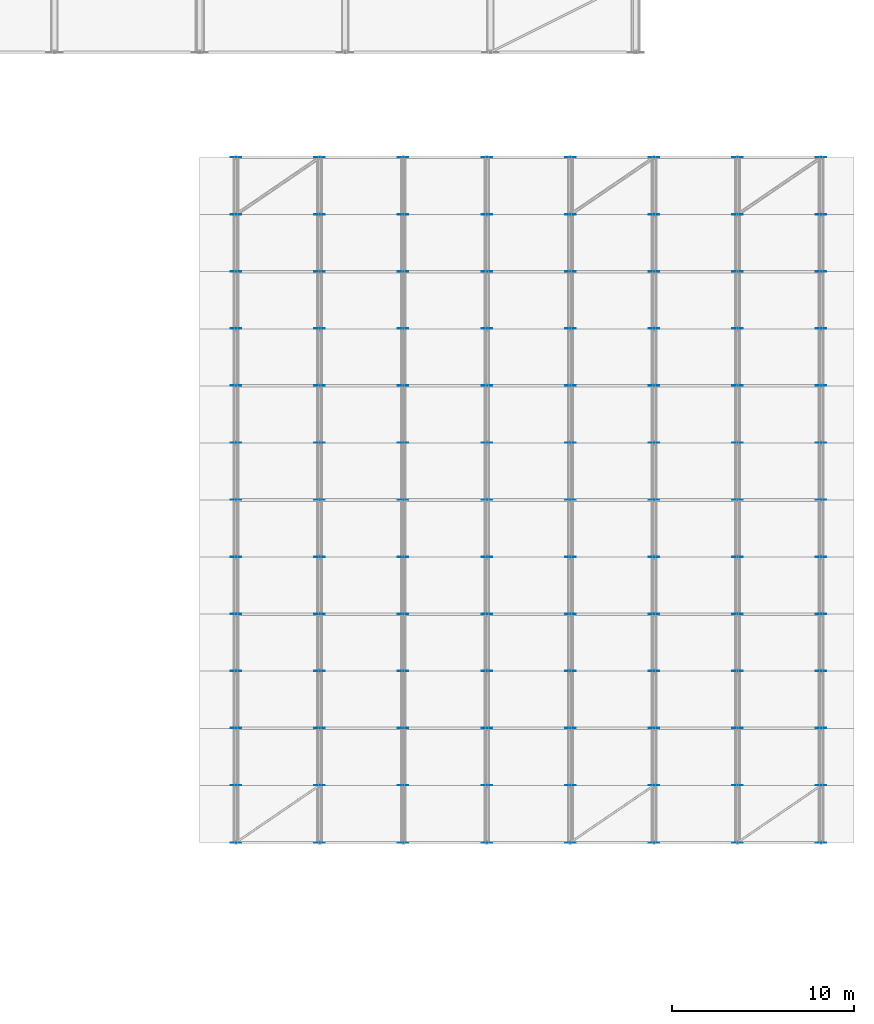
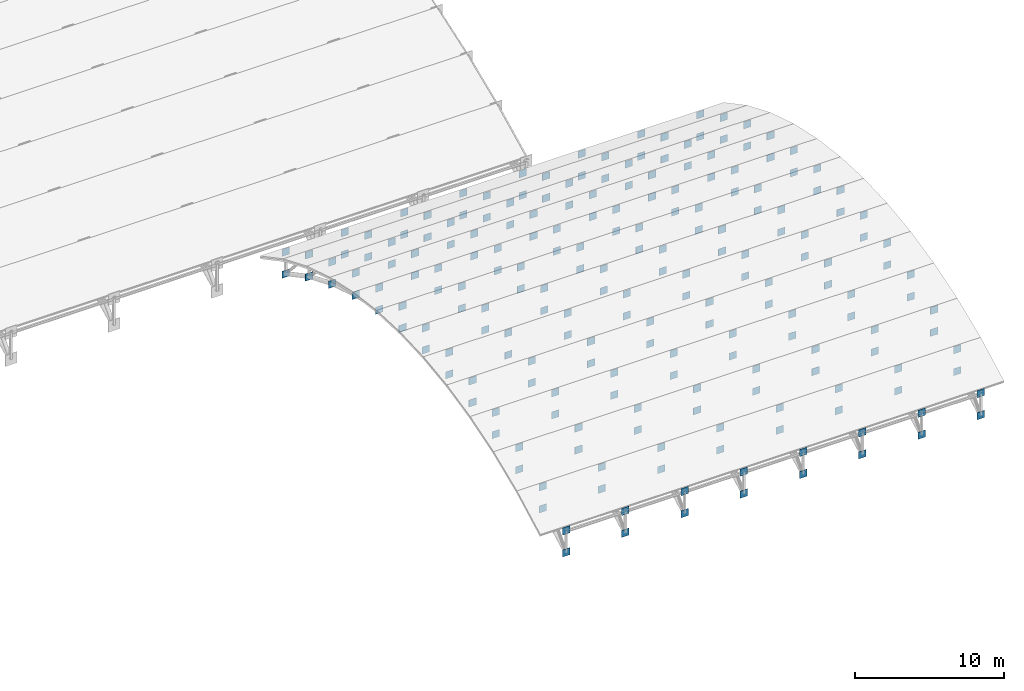
# One storey, part 96 of 98: 208 plates.
"""IFC4 building model written with IfcOpenShell, lengths in metres."""

from ifc_helpers import new_model, si_unit, direction, frame, origin, origin_2d, place, context, subcontext, project, spatial, rectangle, extrude, material, layer, layer_set, type_object, element, save


model = new_model("IFC4")

# Units and contexts
model_context = context("Model", 3, precision=1e-05, world=origin(), true_north=direction((0.0, 1.0)))
body_context = subcontext(model_context, "Body", "Model", "MODEL_VIEW")
ifc_project = project(units=[si_unit("LENGTHUNIT", "METRE"), si_unit("AREAUNIT", "SQUARE_METRE"), si_unit("VOLUMEUNIT", "CUBIC_METRE"), si_unit("PLANEANGLEUNIT", "RADIAN"), si_unit("MASSUNIT", "GRAM", prefix="KILO")], contexts=[model_context])

# Site, building, storey
site_placement = place(None, origin())
site = spatial("IfcSite", under=ifc_project, at=site_placement, CompositionType="ELEMENT")
building_placement = place(site_placement, origin())
building = spatial("IfcBuilding", under=site, at=building_placement, Name="Tlacozan Convention Centre", CompositionType="ELEMENT")
storey_placement = place(building_placement, frame((0.0, 0.0, 25.800048828125)))
storey = spatial("IfcBuildingStorey", under=building, at=storey_placement, Name="Roof", CompositionType="ELEMENT", Elevation=25.800048828125)

# Plates
ifc_material = material(Name="Steel ASTM A572 Grade 50", Category="steel")
ifc_layer = layer(ifc_material, 0.01806640625)
ifc_layer_set = layer_set([ifc_layer], Name="Steel ASTM A572 Grade 50")
plate_type = type_object("IfcPlateType", Name="Plenary Arch Node Gusset Plate", PredefinedType="SHEET", material=ifc_layer_set)
for number, where, z_axis, x_axis, name in (
    (1, (146.0, 18.488525390625, -7.09619140625), (0.0, 0.0, 1.0), (0.0, 1.0, 0.0), "Roof Gusset Cap Plate 749"),
    (2, (146.0, 21.6533203125, -5.40869140625), (0.0, 0.0, 1.0), (0.0, 1.0, 0.0), "Roof Gusset Cap Plate 750"),
    (3, (146.0, 18.488525390625, -8.896240234375), (0.0, 0.0, 1.0), (0.0, 1.0, 0.0), "Roof Gusset Cap Plate 751"),
    (4, (146.0, 21.6533203125, -7.208740234375), (0.0, 0.0, 1.0), (0.0, 1.0, 0.0), "Roof Gusset Cap Plate 752"),
    (5, (146.0, 24.79541015625, -4.099609375), (0.0, 0.0, 1.0), (0.0, 1.0, 0.0), "Roof Gusset Cap Plate 753"),
    (6, (146.0, 24.79541015625, -5.8994140625), (0.0, 0.0, 1.0), (0.0, 1.0, 0.0), "Roof Gusset Cap Plate 754"),
    (7, (146.0, 27.9375, -3.11474609375), (0.0, 0.0, 1.0), (0.0, 1.0, 0.0), "Roof Gusset Cap Plate 755"),
    (8, (146.0, 27.9375, -4.914794921875), (0.0, 0.0, 1.0), (0.0, 1.0, 0.0), "Roof Gusset Cap Plate 756"),
    (9, (146.0, 31.079345703125, -2.42822265625), (0.0, 0.0, 1.0), (0.0, 1.0, 0.0), "Roof Gusset Cap Plate 757"),
    (10, (146.0, 31.079345703125, -4.228271484375), (0.0, 0.0, 1.0), (0.0, 1.0, 0.0), "Roof Gusset Cap Plate 758"),
    (11, (146.0, 34.22119140625, -2.02294921875), (0.0, 0.0, 1.0), (0.0, 1.0, 0.0), "Roof Gusset Cap Plate 759"),
    (12, (146.0, 34.22119140625, -3.822998046875), (0.0, 0.0, 1.0), (0.0, 1.0, 0.0), "Roof Gusset Cap Plate 760"),
    (13, (146.0, 37.363037109375, -1.889404296875), (0.0, 0.0, 1.0), (0.0, 1.0, 0.0), "Roof Gusset Cap Plate 761"),
    (14, (146.0, 37.363037109375, -3.689453125), (0.0, 0.0, 1.0), (0.0, 1.0, 0.0), "Roof Gusset Cap Plate 762"),
    (15, (146.0, 40.504638671875, -2.025146484375), (0.0, 0.0, 1.0), (0.0, 1.0, 0.0), "Roof Gusset Cap Plate 763"),
    (16, (146.0, 40.504638671875, -3.8251953125), (0.0, 0.0, 1.0), (0.0, 1.0, 0.0), "Roof Gusset Cap Plate 764"),
    (17, (146.0, 43.646240234375, -2.4326171875), (0.0, 0.0, 1.0), (0.0, 1.0, 0.0), "Roof Gusset Cap Plate 765"),
    (18, (146.0, 43.646240234375, -4.232666015625), (0.0, 0.0, 1.0), (0.0, 1.0, 0.0), "Roof Gusset Cap Plate 766"),
    (19, (146.0, 46.78759765625, -3.12158203125), (0.0, 0.0, 1.0), (0.0, 1.0, 0.0), "Roof Gusset Cap Plate 767"),
    (20, (146.0, 46.78759765625, -4.92138671875), (0.0, 0.0, 1.0), (0.0, 1.0, 0.0), "Roof Gusset Cap Plate 768"),
    (21, (146.0, 49.92919921875, -4.1083984375), (0.0, 0.0, 1.0), (0.0, 1.0, 0.0), "Roof Gusset Cap Plate 769"),
    (22, (146.0, 49.92919921875, -5.908447265625), (0.0, 0.0, 1.0), (0.0, 1.0, 0.0), "Roof Gusset Cap Plate 770"),
    (23, (146.0, 53.0703125, -5.419677734375), (0.0, 0.0, 1.0), (0.0, 1.0, 0.0), "Roof Gusset Cap Plate 771"),
    (24, (146.0, 53.0703125, -7.2197265625), (0.0, 0.0, 1.0), (0.0, 1.0, 0.0), "Roof Gusset Cap Plate 772"),
    (25, (146.0, 56.21142578125, -7.09619140625), (0.0, 0.0, 1.0), (0.0, 1.0, 0.0), "Roof Gusset Cap Plate 773"),
    (26, (146.0, 56.21142578125, -8.896240234375), (0.0, 0.0, 1.0), (0.0, 1.0, 0.0), "Roof Gusset Cap Plate 774"),
    (27, (150.60009765625, 18.488525390625, -7.09619140625), (0.0, 0.0, 1.0), (0.0, 1.0, 0.0), "Roof Gusset Cap Plate 775"),
    (28, (150.60009765625, 21.6533203125, -5.40869140625), (0.0, 0.0, 1.0), (0.0, 1.0, 0.0), "Roof Gusset Cap Plate 776"),
    (29, (150.60009765625, 18.488525390625, -8.896240234375), (0.0, 0.0, 1.0), (0.0, 1.0, 0.0), "Roof Gusset Cap Plate 777"),
    (30, (150.60009765625, 21.6533203125, -7.208740234375), (0.0, 0.0, 1.0), (0.0, 1.0, 0.0), "Roof Gusset Cap Plate 778"),
    (31, (150.60009765625, 24.79541015625, -4.099609375), (0.0, 0.0, 1.0), (0.0, 1.0, 0.0), "Roof Gusset Cap Plate 779"),
    (32, (150.60009765625, 24.79541015625, -5.8994140625), (0.0, 0.0, 1.0), (0.0, 1.0, 0.0), "Roof Gusset Cap Plate 780"),
    (33, (150.60009765625, 27.9375, -3.11474609375), (0.0, 0.0, 1.0), (0.0, 1.0, 0.0), "Roof Gusset Cap Plate 781"),
    (34, (150.60009765625, 27.9375, -4.914794921875), (0.0, 0.0, 1.0), (0.0, 1.0, 0.0), "Roof Gusset Cap Plate 782"),
    (35, (150.60009765625, 31.079345703125, -2.42822265625), (0.0, 0.0, 1.0), (0.0, 1.0, 0.0), "Roof Gusset Cap Plate 783"),
    (36, (150.60009765625, 31.079345703125, -4.228271484375), (0.0, 0.0, 1.0), (0.0, 1.0, 0.0), "Roof Gusset Cap Plate 784"),
    (37, (150.60009765625, 34.22119140625, -2.02294921875), (0.0, 0.0, 1.0), (0.0, 1.0, 0.0), "Roof Gusset Cap Plate 785"),
    (38, (150.60009765625, 34.22119140625, -3.822998046875), (0.0, 0.0, 1.0), (0.0, 1.0, 0.0), "Roof Gusset Cap Plate 786"),
    (39, (150.60009765625, 37.363037109375, -1.889404296875), (0.0, 0.0, 1.0), (0.0, 1.0, 0.0), "Roof Gusset Cap Plate 787"),
    (40, (150.60009765625, 37.363037109375, -3.689453125), (0.0, 0.0, 1.0), (0.0, 1.0, 0.0), "Roof Gusset Cap Plate 788"),
    (41, (150.60009765625, 40.504638671875, -2.025146484375), (0.0, 0.0, 1.0), (0.0, 1.0, 0.0), "Roof Gusset Cap Plate 789"),
    (42, (150.60009765625, 40.504638671875, -3.8251953125), (0.0, 0.0, 1.0), (0.0, 1.0, 0.0), "Roof Gusset Cap Plate 790"),
    (43, (150.60009765625, 43.646240234375, -2.4326171875), (0.0, 0.0, 1.0), (0.0, 1.0, 0.0), "Roof Gusset Cap Plate 791"),
    (44, (150.60009765625, 43.646240234375, -4.232666015625), (0.0, 0.0, 1.0), (0.0, 1.0, 0.0), "Roof Gusset Cap Plate 792"),
    (45, (150.60009765625, 46.78759765625, -3.12158203125), (0.0, 0.0, 1.0), (0.0, 1.0, 0.0), "Roof Gusset Cap Plate 793"),
    (46, (150.60009765625, 46.78759765625, -4.92138671875), (0.0, 0.0, 1.0), (0.0, 1.0, 0.0), "Roof Gusset Cap Plate 794"),
    (47, (150.60009765625, 49.92919921875, -4.1083984375), (0.0, 0.0, 1.0), (0.0, 1.0, 0.0), "Roof Gusset Cap Plate 795"),
    (48, (150.60009765625, 49.92919921875, -5.908447265625), (0.0, 0.0, 1.0), (0.0, 1.0, 0.0), "Roof Gusset Cap Plate 796"),
    (49, (150.60009765625, 53.0703125, -5.419677734375), (0.0, 0.0, 1.0), (0.0, 1.0, 0.0), "Roof Gusset Cap Plate 797"),
    (50, (150.60009765625, 53.0703125, -7.2197265625), (0.0, 0.0, 1.0), (0.0, 1.0, 0.0), "Roof Gusset Cap Plate 798"),
    (51, (150.60009765625, 56.21142578125, -7.09619140625), (0.0, 0.0, 1.0), (0.0, 1.0, 0.0), "Roof Gusset Cap Plate 799"),
    (52, (150.60009765625, 56.21142578125, -8.896240234375), (0.0, 0.0, 1.0), (0.0, 1.0, 0.0), "Roof Gusset Cap Plate 800"),
    (53, (155.199951171875, 18.488525390625, -7.09619140625), (0.0, 0.0, 1.0), (0.0, 1.0, 0.0), "Roof Gusset Cap Plate 801"),
    (54, (155.199951171875, 21.6533203125, -5.40869140625), (0.0, 0.0, 1.0), (0.0, 1.0, 0.0), "Roof Gusset Cap Plate 802"),
    (55, (155.199951171875, 18.488525390625, -8.896240234375), (0.0, 0.0, 1.0), (0.0, 1.0, 0.0), "Roof Gusset Cap Plate 803"),
    (56, (155.199951171875, 21.6533203125, -7.208740234375), (0.0, 0.0, 1.0), (0.0, 1.0, 0.0), "Roof Gusset Cap Plate 804"),
    (57, (155.199951171875, 24.79541015625, -4.099609375), (0.0, 0.0, 1.0), (0.0, 1.0, 0.0), "Roof Gusset Cap Plate 805"),
    (58, (155.199951171875, 24.79541015625, -5.8994140625), (0.0, 0.0, 1.0), (0.0, 1.0, 0.0), "Roof Gusset Cap Plate 806"),
    (59, (155.199951171875, 27.9375, -3.11474609375), (0.0, 0.0, 1.0), (0.0, 1.0, 0.0), "Roof Gusset Cap Plate 807"),
    (60, (155.199951171875, 27.9375, -4.914794921875), (0.0, 0.0, 1.0), (0.0, 1.0, 0.0), "Roof Gusset Cap Plate 808"),
    (61, (155.199951171875, 31.079345703125, -2.42822265625), (0.0, 0.0, 1.0), (0.0, 1.0, 0.0), "Roof Gusset Cap Plate 809"),
    (62, (155.199951171875, 31.079345703125, -4.228271484375), (0.0, 0.0, 1.0), (0.0, 1.0, 0.0), "Roof Gusset Cap Plate 810"),
    (63, (155.199951171875, 34.22119140625, -2.02294921875), (0.0, 0.0, 1.0), (0.0, 1.0, 0.0), "Roof Gusset Cap Plate 811"),
    (64, (155.199951171875, 34.22119140625, -3.822998046875), (0.0, 0.0, 1.0), (0.0, 1.0, 0.0), "Roof Gusset Cap Plate 812"),
    (65, (155.199951171875, 37.363037109375, -1.889404296875), (0.0, 0.0, 1.0), (0.0, 1.0, 0.0), "Roof Gusset Cap Plate 813"),
    (66, (155.199951171875, 37.363037109375, -3.689453125), (0.0, 0.0, 1.0), (0.0, 1.0, 0.0), "Roof Gusset Cap Plate 814"),
    (67, (155.199951171875, 40.504638671875, -2.025146484375), (0.0, 0.0, 1.0), (0.0, 1.0, 0.0), "Roof Gusset Cap Plate 815"),
    (68, (155.199951171875, 40.504638671875, -3.8251953125), (0.0, 0.0, 1.0), (0.0, 1.0, 0.0), "Roof Gusset Cap Plate 816"),
    (69, (155.199951171875, 43.646240234375, -2.4326171875), (0.0, 0.0, 1.0), (0.0, 1.0, 0.0), "Roof Gusset Cap Plate 817"),
    (70, (155.199951171875, 43.646240234375, -4.232666015625), (0.0, 0.0, 1.0), (0.0, 1.0, 0.0), "Roof Gusset Cap Plate 818"),
    (71, (155.199951171875, 46.78759765625, -3.12158203125), (0.0, 0.0, 1.0), (0.0, 1.0, 0.0), "Roof Gusset Cap Plate 819"),
    (72, (155.199951171875, 46.78759765625, -4.92138671875), (0.0, 0.0, 1.0), (0.0, 1.0, 0.0), "Roof Gusset Cap Plate 820"),
    (73, (155.199951171875, 49.92919921875, -4.1083984375), (0.0, 0.0, 1.0), (0.0, 1.0, 0.0), "Roof Gusset Cap Plate 821"),
    (74, (155.199951171875, 49.92919921875, -5.908447265625), (0.0, 0.0, 1.0), (0.0, 1.0, 0.0), "Roof Gusset Cap Plate 822"),
    (75, (155.199951171875, 53.0703125, -5.419677734375), (0.0, 0.0, 1.0), (0.0, 1.0, 0.0), "Roof Gusset Cap Plate 823"),
    (76, (155.199951171875, 53.0703125, -7.2197265625), (0.0, 0.0, 1.0), (0.0, 1.0, 0.0), "Roof Gusset Cap Plate 824"),
    (77, (155.199951171875, 56.21142578125, -7.09619140625), (0.0, 0.0, 1.0), (0.0, 1.0, 0.0), "Roof Gusset Cap Plate 825"),
    (78, (155.199951171875, 56.21142578125, -8.896240234375), (0.0, 0.0, 1.0), (0.0, 1.0, 0.0), "Roof Gusset Cap Plate 826"),
    (79, (159.800048828125, 18.488525390625, -7.09619140625), (0.0, 0.0, 1.0), (0.0, 1.0, 0.0), "Roof Gusset Cap Plate 827"),
    (80, (159.800048828125, 21.6533203125, -5.40869140625), (0.0, 0.0, 1.0), (0.0, 1.0, 0.0), "Roof Gusset Cap Plate 828"),
    (81, (159.800048828125, 18.488525390625, -8.896240234375), (0.0, 0.0, 1.0), (0.0, 1.0, 0.0), "Roof Gusset Cap Plate 829"),
    (82, (159.800048828125, 21.6533203125, -7.208740234375), (0.0, 0.0, 1.0), (0.0, 1.0, 0.0), "Roof Gusset Cap Plate 830"),
    (83, (159.800048828125, 24.79541015625, -4.099609375), (0.0, 0.0, 1.0), (0.0, 1.0, 0.0), "Roof Gusset Cap Plate 831"),
    (84, (159.800048828125, 24.79541015625, -5.8994140625), (0.0, 0.0, 1.0), (0.0, 1.0, 0.0), "Roof Gusset Cap Plate 832"),
    (85, (159.800048828125, 27.9375, -3.11474609375), (0.0, 0.0, 1.0), (0.0, 1.0, 0.0), "Roof Gusset Cap Plate 833"),
    (86, (159.800048828125, 27.9375, -4.914794921875), (0.0, 0.0, 1.0), (0.0, 1.0, 0.0), "Roof Gusset Cap Plate 834"),
    (87, (159.800048828125, 31.079345703125, -2.42822265625), (0.0, 0.0, 1.0), (0.0, 1.0, 0.0), "Roof Gusset Cap Plate 835"),
    (88, (159.800048828125, 31.079345703125, -4.228271484375), (0.0, 0.0, 1.0), (0.0, 1.0, 0.0), "Roof Gusset Cap Plate 836"),
    (89, (159.800048828125, 34.22119140625, -2.02294921875), (0.0, 0.0, 1.0), (0.0, 1.0, 0.0), "Roof Gusset Cap Plate 837"),
    (90, (159.800048828125, 34.22119140625, -3.822998046875), (0.0, 0.0, 1.0), (0.0, 1.0, 0.0), "Roof Gusset Cap Plate 838"),
    (91, (159.800048828125, 37.363037109375, -1.889404296875), (0.0, 0.0, 1.0), (0.0, 1.0, 0.0), "Roof Gusset Cap Plate 839"),
    (92, (159.800048828125, 37.363037109375, -3.689453125), (0.0, 0.0, 1.0), (0.0, 1.0, 0.0), "Roof Gusset Cap Plate 840"),
    (93, (159.800048828125, 40.504638671875, -2.025146484375), (0.0, 0.0, 1.0), (0.0, 1.0, 0.0), "Roof Gusset Cap Plate 841"),
    (94, (159.800048828125, 40.504638671875, -3.8251953125), (0.0, 0.0, 1.0), (0.0, 1.0, 0.0), "Roof Gusset Cap Plate 842"),
    (95, (159.800048828125, 43.646240234375, -2.4326171875), (0.0, 0.0, 1.0), (0.0, 1.0, 0.0), "Roof Gusset Cap Plate 843"),
    (96, (159.800048828125, 43.646240234375, -4.232666015625), (0.0, 0.0, 1.0), (0.0, 1.0, 0.0), "Roof Gusset Cap Plate 844"),
    (97, (159.800048828125, 46.78759765625, -3.12158203125), (0.0, 0.0, 1.0), (0.0, 1.0, 0.0), "Roof Gusset Cap Plate 845"),
    (98, (159.800048828125, 46.78759765625, -4.92138671875), (0.0, 0.0, 1.0), (0.0, 1.0, 0.0), "Roof Gusset Cap Plate 846"),
    (99, (159.800048828125, 49.92919921875, -4.1083984375), (0.0, 0.0, 1.0), (0.0, 1.0, 0.0), "Roof Gusset Cap Plate 847"),
    (100, (159.800048828125, 49.92919921875, -5.908447265625), (0.0, 0.0, 1.0), (0.0, 1.0, 0.0), "Roof Gusset Cap Plate 848"),
    (101, (159.800048828125, 53.0703125, -5.419677734375), (0.0, 0.0, 1.0), (0.0, 1.0, 0.0), "Roof Gusset Cap Plate 849"),
    (102, (159.800048828125, 53.0703125, -7.2197265625), (0.0, 0.0, 1.0), (0.0, 1.0, 0.0), "Roof Gusset Cap Plate 850"),
    (103, (159.800048828125, 56.21142578125, -7.09619140625), (0.0, 0.0, 1.0), (0.0, 1.0, 0.0), "Roof Gusset Cap Plate 851"),
    (104, (159.800048828125, 56.21142578125, -8.896240234375), (0.0, 0.0, 1.0), (0.0, 1.0, 0.0), "Roof Gusset Cap Plate 852"),
    (105, (164.39990234375, 18.488525390625, -7.09619140625), (0.0, 0.0, 1.0), (0.0, 1.0, 0.0), "Roof Gusset Cap Plate 853"),
    (106, (164.39990234375, 21.6533203125, -5.40869140625), (0.0, 0.0, 1.0), (0.0, 1.0, 0.0), "Roof Gusset Cap Plate 854"),
    (107, (164.39990234375, 18.488525390625, -8.896240234375), (0.0, 0.0, 1.0), (0.0, 1.0, 0.0), "Roof Gusset Cap Plate 855"),
    (108, (164.39990234375, 21.6533203125, -7.208740234375), (0.0, 0.0, 1.0), (0.0, 1.0, 0.0), "Roof Gusset Cap Plate 856"),
    (109, (164.39990234375, 24.79541015625, -4.099609375), (0.0, 0.0, 1.0), (0.0, 1.0, 0.0), "Roof Gusset Cap Plate 857"),
    (110, (164.39990234375, 24.79541015625, -5.8994140625), (0.0, 0.0, 1.0), (0.0, 1.0, 0.0), "Roof Gusset Cap Plate 858"),
    (111, (164.39990234375, 27.9375, -3.11474609375), (0.0, 0.0, 1.0), (0.0, 1.0, 0.0), "Roof Gusset Cap Plate 859"),
    (112, (164.39990234375, 27.9375, -4.914794921875), (0.0, 0.0, 1.0), (0.0, 1.0, 0.0), "Roof Gusset Cap Plate 860"),
    (113, (164.39990234375, 31.079345703125, -2.42822265625), (0.0, 0.0, 1.0), (0.0, 1.0, 0.0), "Roof Gusset Cap Plate 861"),
    (114, (164.39990234375, 31.079345703125, -4.228271484375), (0.0, 0.0, 1.0), (0.0, 1.0, 0.0), "Roof Gusset Cap Plate 862"),
    (115, (164.39990234375, 34.22119140625, -2.02294921875), (0.0, 0.0, 1.0), (0.0, 1.0, 0.0), "Roof Gusset Cap Plate 863"),
    (116, (164.39990234375, 34.22119140625, -3.822998046875), (0.0, 0.0, 1.0), (0.0, 1.0, 0.0), "Roof Gusset Cap Plate 864"),
    (117, (164.39990234375, 37.363037109375, -1.889404296875), (0.0, 0.0, 1.0), (0.0, 1.0, 0.0), "Roof Gusset Cap Plate 865"),
    (118, (164.39990234375, 37.363037109375, -3.689453125), (0.0, 0.0, 1.0), (0.0, 1.0, 0.0), "Roof Gusset Cap Plate 866"),
    (119, (164.39990234375, 40.504638671875, -2.025146484375), (0.0, 0.0, 1.0), (0.0, 1.0, 0.0), "Roof Gusset Cap Plate 867"),
    (120, (164.39990234375, 40.504638671875, -3.8251953125), (0.0, 0.0, 1.0), (0.0, 1.0, 0.0), "Roof Gusset Cap Plate 868"),
    (121, (164.39990234375, 43.646240234375, -2.4326171875), (0.0, 0.0, 1.0), (0.0, 1.0, 0.0), "Roof Gusset Cap Plate 869"),
    (122, (164.39990234375, 43.646240234375, -4.232666015625), (0.0, 0.0, 1.0), (0.0, 1.0, 0.0), "Roof Gusset Cap Plate 870"),
    (123, (164.39990234375, 46.78759765625, -3.12158203125), (0.0, 0.0, 1.0), (0.0, 1.0, 0.0), "Roof Gusset Cap Plate 871"),
    (124, (164.39990234375, 46.78759765625, -4.92138671875), (0.0, 0.0, 1.0), (0.0, 1.0, 0.0), "Roof Gusset Cap Plate 872"),
    (125, (164.39990234375, 49.92919921875, -4.1083984375), (0.0, 0.0, 1.0), (0.0, 1.0, 0.0), "Roof Gusset Cap Plate 873"),
    (126, (164.39990234375, 49.92919921875, -5.908447265625), (0.0, 0.0, 1.0), (0.0, 1.0, 0.0), "Roof Gusset Cap Plate 874"),
    (127, (164.39990234375, 53.0703125, -5.419677734375), (0.0, 0.0, 1.0), (0.0, 1.0, 0.0), "Roof Gusset Cap Plate 875"),
    (128, (164.39990234375, 53.0703125, -7.2197265625), (0.0, 0.0, 1.0), (0.0, 1.0, 0.0), "Roof Gusset Cap Plate 876"),
    (129, (164.39990234375, 56.21142578125, -7.09619140625), (0.0, 0.0, 1.0), (0.0, 1.0, 0.0), "Roof Gusset Cap Plate 877"),
    (130, (164.39990234375, 56.21142578125, -8.896240234375), (0.0, 0.0, 1.0), (0.0, 1.0, 0.0), "Roof Gusset Cap Plate 878"),
    (131, (169.0, 18.488525390625, -7.09619140625), (0.0, 0.0, 1.0), (0.0, 1.0, 0.0), "Roof Gusset Cap Plate 879"),
    (132, (169.0, 21.6533203125, -5.40869140625), (0.0, 0.0, 1.0), (0.0, 1.0, 0.0), "Roof Gusset Cap Plate 880"),
    (133, (169.0, 18.488525390625, -8.896240234375), (0.0, 0.0, 1.0), (0.0, 1.0, 0.0), "Roof Gusset Cap Plate 881"),
    (134, (169.0, 21.6533203125, -7.208740234375), (0.0, 0.0, 1.0), (0.0, 1.0, 0.0), "Roof Gusset Cap Plate 882"),
    (135, (169.0, 24.79541015625, -4.099609375), (0.0, 0.0, 1.0), (0.0, 1.0, 0.0), "Roof Gusset Cap Plate 883"),
    (136, (169.0, 24.79541015625, -5.8994140625), (0.0, 0.0, 1.0), (0.0, 1.0, 0.0), "Roof Gusset Cap Plate 884"),
    (137, (169.0, 27.9375, -3.11474609375), (0.0, 0.0, 1.0), (0.0, 1.0, 0.0), "Roof Gusset Cap Plate 885"),
    (138, (169.0, 27.9375, -4.914794921875), (0.0, 0.0, 1.0), (0.0, 1.0, 0.0), "Roof Gusset Cap Plate 886"),
    (139, (169.0, 31.079345703125, -2.42822265625), (0.0, 0.0, 1.0), (0.0, 1.0, 0.0), "Roof Gusset Cap Plate 887"),
    (140, (169.0, 31.079345703125, -4.228271484375), (0.0, 0.0, 1.0), (0.0, 1.0, 0.0), "Roof Gusset Cap Plate 888"),
    (141, (169.0, 34.22119140625, -2.02294921875), (0.0, 0.0, 1.0), (0.0, 1.0, 0.0), "Roof Gusset Cap Plate 889"),
    (142, (169.0, 34.22119140625, -3.822998046875), (0.0, 0.0, 1.0), (0.0, 1.0, 0.0), "Roof Gusset Cap Plate 890"),
    (143, (169.0, 37.363037109375, -1.889404296875), (0.0, 0.0, 1.0), (0.0, 1.0, 0.0), "Roof Gusset Cap Plate 891"),
    (144, (169.0, 37.363037109375, -3.689453125), (0.0, 0.0, 1.0), (0.0, 1.0, 0.0), "Roof Gusset Cap Plate 892"),
    (145, (169.0, 40.504638671875, -2.025146484375), (0.0, 0.0, 1.0), (0.0, 1.0, 0.0), "Roof Gusset Cap Plate 893"),
    (146, (169.0, 40.504638671875, -3.8251953125), (0.0, 0.0, 1.0), (0.0, 1.0, 0.0), "Roof Gusset Cap Plate 894"),
    (147, (169.0, 43.646240234375, -2.4326171875), (0.0, 0.0, 1.0), (0.0, 1.0, 0.0), "Roof Gusset Cap Plate 895"),
    (148, (169.0, 43.646240234375, -4.232666015625), (0.0, 0.0, 1.0), (0.0, 1.0, 0.0), "Roof Gusset Cap Plate 896"),
    (149, (169.0, 46.78759765625, -3.12158203125), (0.0, 0.0, 1.0), (0.0, 1.0, 0.0), "Roof Gusset Cap Plate 897"),
    (150, (169.0, 46.78759765625, -4.92138671875), (0.0, 0.0, 1.0), (0.0, 1.0, 0.0), "Roof Gusset Cap Plate 898"),
    (151, (169.0, 49.92919921875, -4.1083984375), (0.0, 0.0, 1.0), (0.0, 1.0, 0.0), "Roof Gusset Cap Plate 899"),
    (152, (169.0, 49.92919921875, -5.908447265625), (0.0, 0.0, 1.0), (0.0, 1.0, 0.0), "Roof Gusset Cap Plate 900"),
    (153, (169.0, 53.0703125, -5.419677734375), (0.0, 0.0, 1.0), (0.0, 1.0, 0.0), "Roof Gusset Cap Plate 901"),
    (154, (169.0, 53.0703125, -7.2197265625), (0.0, 0.0, 1.0), (0.0, 1.0, 0.0), "Roof Gusset Cap Plate 902"),
    (155, (169.0, 56.21142578125, -7.09619140625), (0.0, 0.0, 1.0), (0.0, 1.0, 0.0), "Roof Gusset Cap Plate 903"),
    (156, (169.0, 56.21142578125, -8.896240234375), (0.0, 0.0, 1.0), (0.0, 1.0, 0.0), "Roof Gusset Cap Plate 904"),
    (157, (173.60009765625, 18.488525390625, -7.09619140625), (0.0, 0.0, 1.0), (0.0, 1.0, 0.0), "Roof Gusset Cap Plate 905"),
    (158, (173.60009765625, 21.6533203125, -5.40869140625), (0.0, 0.0, 1.0), (0.0, 1.0, 0.0), "Roof Gusset Cap Plate 906"),
    (159, (173.60009765625, 18.488525390625, -8.896240234375), (0.0, 0.0, 1.0), (0.0, 1.0, 0.0), "Roof Gusset Cap Plate 907"),
    (160, (173.60009765625, 21.6533203125, -7.208740234375), (0.0, 0.0, 1.0), (0.0, 1.0, 0.0), "Roof Gusset Cap Plate 908"),
    (161, (173.60009765625, 24.79541015625, -4.099609375), (0.0, 0.0, 1.0), (0.0, 1.0, 0.0), "Roof Gusset Cap Plate 909"),
    (162, (173.60009765625, 24.79541015625, -5.8994140625), (0.0, 0.0, 1.0), (0.0, 1.0, 0.0), "Roof Gusset Cap Plate 910"),
    (163, (173.60009765625, 27.9375, -3.11474609375), (0.0, 0.0, 1.0), (0.0, 1.0, 0.0), "Roof Gusset Cap Plate 911"),
    (164, (173.60009765625, 27.9375, -4.914794921875), (0.0, 0.0, 1.0), (0.0, 1.0, 0.0), "Roof Gusset Cap Plate 912"),
    (165, (173.60009765625, 31.079345703125, -2.42822265625), (0.0, 0.0, 1.0), (0.0, 1.0, 0.0), "Roof Gusset Cap Plate 913"),
    (166, (173.60009765625, 31.079345703125, -4.228271484375), (0.0, 0.0, 1.0), (0.0, 1.0, 0.0), "Roof Gusset Cap Plate 914"),
    (167, (173.60009765625, 34.22119140625, -2.02294921875), (0.0, 0.0, 1.0), (0.0, 1.0, 0.0), "Roof Gusset Cap Plate 915"),
    (168, (173.60009765625, 34.22119140625, -3.822998046875), (0.0, 0.0, 1.0), (0.0, 1.0, 0.0), "Roof Gusset Cap Plate 916"),
    (169, (173.60009765625, 37.363037109375, -1.889404296875), (0.0, 0.0, 1.0), (0.0, 1.0, 0.0), "Roof Gusset Cap Plate 917"),
    (170, (173.60009765625, 37.363037109375, -3.689453125), (0.0, 0.0, 1.0), (0.0, 1.0, 0.0), "Roof Gusset Cap Plate 918"),
    (171, (173.60009765625, 40.504638671875, -2.025146484375), (0.0, 0.0, 1.0), (0.0, 1.0, 0.0), "Roof Gusset Cap Plate 919"),
    (172, (173.60009765625, 40.504638671875, -3.8251953125), (0.0, 0.0, 1.0), (0.0, 1.0, 0.0), "Roof Gusset Cap Plate 920"),
    (173, (173.60009765625, 43.646240234375, -2.4326171875), (0.0, 0.0, 1.0), (0.0, 1.0, 0.0), "Roof Gusset Cap Plate 921"),
    (174, (173.60009765625, 43.646240234375, -4.232666015625), (0.0, 0.0, 1.0), (0.0, 1.0, 0.0), "Roof Gusset Cap Plate 922"),
    (175, (173.60009765625, 46.78759765625, -3.12158203125), (0.0, 0.0, 1.0), (0.0, 1.0, 0.0), "Roof Gusset Cap Plate 923"),
    (176, (173.60009765625, 46.78759765625, -4.92138671875), (0.0, 0.0, 1.0), (0.0, 1.0, 0.0), "Roof Gusset Cap Plate 924"),
    (177, (173.60009765625, 49.92919921875, -4.1083984375), (0.0, 0.0, 1.0), (0.0, 1.0, 0.0), "Roof Gusset Cap Plate 925"),
    (178, (173.60009765625, 49.92919921875, -5.908447265625), (0.0, 0.0, 1.0), (0.0, 1.0, 0.0), "Roof Gusset Cap Plate 926"),
    (179, (173.60009765625, 53.0703125, -5.419677734375), (0.0, 0.0, 1.0), (0.0, 1.0, 0.0), "Roof Gusset Cap Plate 927"),
    (180, (173.60009765625, 53.0703125, -7.2197265625), (0.0, 0.0, 1.0), (0.0, 1.0, 0.0), "Roof Gusset Cap Plate 928"),
    (181, (173.60009765625, 56.21142578125, -7.09619140625), (0.0, 0.0, 1.0), (0.0, 1.0, 0.0), "Roof Gusset Cap Plate 929"),
    (182, (173.60009765625, 56.21142578125, -8.896240234375), (0.0, 0.0, 1.0), (0.0, 1.0, 0.0), "Roof Gusset Cap Plate 930"),
    (183, (178.199951171875, 18.488525390625, -7.09619140625), (0.0, 0.0, 1.0), (0.0, 1.0, 0.0), "Roof Gusset Cap Plate 931"),
    (184, (178.199951171875, 21.6533203125, -5.40869140625), (0.0, 0.0, 1.0), (0.0, 1.0, 0.0), "Roof Gusset Cap Plate 932"),
    (185, (178.199951171875, 18.488525390625, -8.896240234375), (0.0, 0.0, 1.0), (0.0, 1.0, 0.0), "Roof Gusset Cap Plate 933"),
    (186, (178.199951171875, 21.6533203125, -7.208740234375), (0.0, 0.0, 1.0), (0.0, 1.0, 0.0), "Roof Gusset Cap Plate 934"),
    (187, (178.199951171875, 24.79541015625, -4.099609375), (0.0, 0.0, 1.0), (0.0, 1.0, 0.0), "Roof Gusset Cap Plate 935"),
    (188, (178.199951171875, 24.79541015625, -5.8994140625), (0.0, 0.0, 1.0), (0.0, 1.0, 0.0), "Roof Gusset Cap Plate 936"),
    (189, (178.199951171875, 27.9375, -3.11474609375), (0.0, 0.0, 1.0), (0.0, 1.0, 0.0), "Roof Gusset Cap Plate 937"),
    (190, (178.199951171875, 27.9375, -4.914794921875), (0.0, 0.0, 1.0), (0.0, 1.0, 0.0), "Roof Gusset Cap Plate 938"),
    (191, (178.199951171875, 31.079345703125, -2.42822265625), (0.0, 0.0, 1.0), (0.0, 1.0, 0.0), "Roof Gusset Cap Plate 939"),
    (192, (178.199951171875, 31.079345703125, -4.228271484375), (0.0, 0.0, 1.0), (0.0, 1.0, 0.0), "Roof Gusset Cap Plate 940"),
    (193, (178.199951171875, 34.22119140625, -2.02294921875), (0.0, 0.0, 1.0), (0.0, 1.0, 0.0), "Roof Gusset Cap Plate 941"),
    (194, (178.199951171875, 34.22119140625, -3.822998046875), (0.0, 0.0, 1.0), (0.0, 1.0, 0.0), "Roof Gusset Cap Plate 942"),
    (195, (178.199951171875, 37.363037109375, -1.889404296875), (0.0, 0.0, 1.0), (0.0, 1.0, 0.0), "Roof Gusset Cap Plate 943"),
    (196, (178.199951171875, 37.363037109375, -3.689453125), (0.0, 0.0, 1.0), (0.0, 1.0, 0.0), "Roof Gusset Cap Plate 944"),
    (197, (178.199951171875, 40.504638671875, -2.025146484375), (0.0, 0.0, 1.0), (0.0, 1.0, 0.0), "Roof Gusset Cap Plate 945"),
    (198, (178.199951171875, 40.504638671875, -3.8251953125), (0.0, 0.0, 1.0), (0.0, 1.0, 0.0), "Roof Gusset Cap Plate 946"),
    (199, (178.199951171875, 43.646240234375, -2.4326171875), (0.0, 0.0, 1.0), (0.0, 1.0, 0.0), "Roof Gusset Cap Plate 947"),
    (200, (178.199951171875, 43.646240234375, -4.232666015625), (0.0, 0.0, 1.0), (0.0, 1.0, 0.0), "Roof Gusset Cap Plate 948"),
    (201, (178.199951171875, 46.78759765625, -3.12158203125), (0.0, 0.0, 1.0), (0.0, 1.0, 0.0), "Roof Gusset Cap Plate 949"),
    (202, (178.199951171875, 46.78759765625, -4.92138671875), (0.0, 0.0, 1.0), (0.0, 1.0, 0.0), "Roof Gusset Cap Plate 950"),
    (203, (178.199951171875, 49.92919921875, -4.1083984375), (0.0, 0.0, 1.0), (0.0, 1.0, 0.0), "Roof Gusset Cap Plate 951"),
    (204, (178.199951171875, 49.92919921875, -5.908447265625), (0.0, 0.0, 1.0), (0.0, 1.0, 0.0), "Roof Gusset Cap Plate 952"),
    (205, (178.199951171875, 53.0703125, -5.419677734375), (0.0, 0.0, 1.0), (0.0, 1.0, 0.0), "Roof Gusset Cap Plate 953"),
    (206, (178.199951171875, 53.0703125, -7.2197265625), (0.0, 0.0, 1.0), (0.0, 1.0, 0.0), "Roof Gusset Cap Plate 954"),
    (207, (178.199951171875, 56.21142578125, -7.09619140625), (0.0, 0.0, 1.0), (0.0, 1.0, 0.0), "Roof Gusset Cap Plate 955"),
    (208, (178.199951171875, 56.21142578125, -8.896240234375), (0.0, 0.0, 1.0), (0.0, 1.0, 0.0), "Roof Gusset Cap Plate 956"),
):
    element("IfcPlate", number, at=place(storey_placement, frame(where, z_axis=z_axis, x_axis=x_axis)), inside=storey, type_object=plate_type, Name=name, PredefinedType="SHEET", context=body_context, shape_type="SweptSolid", body=[
        extrude(rectangle(XDim=0.01806640625, YDim=0.580078125, at=origin_2d()), origin(), (0.0, 0.0, 1.0), 0.580078125),
    ])

save(model, "model.ifc")
